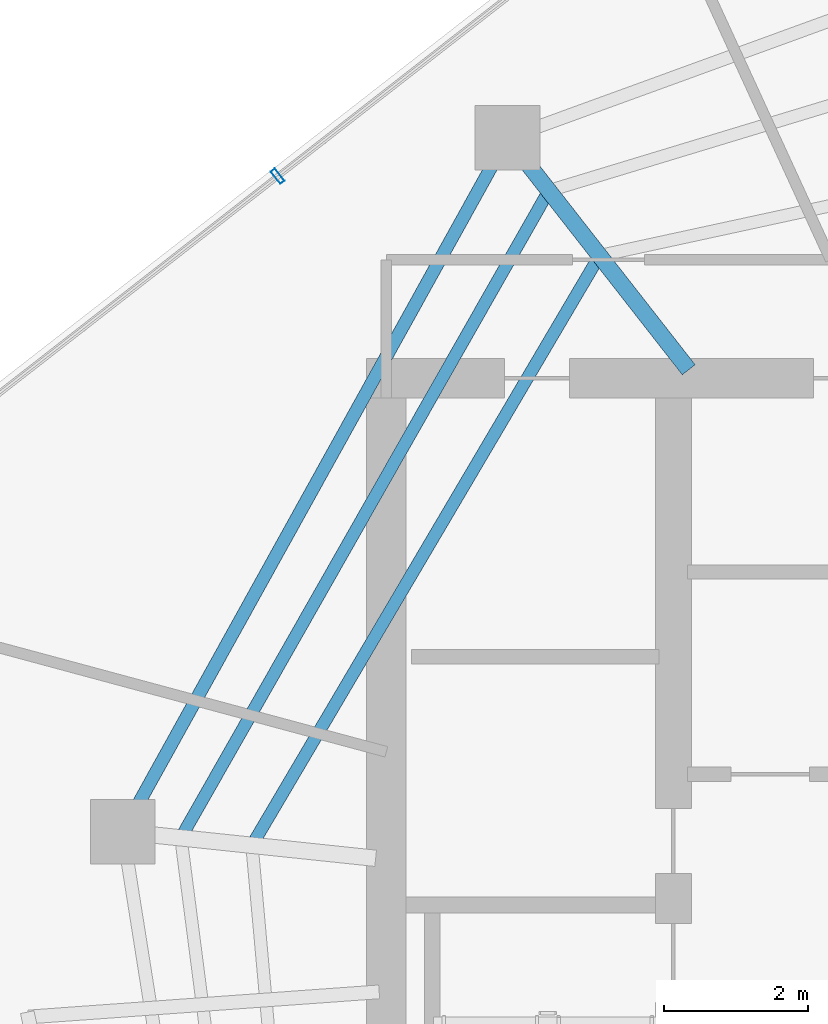
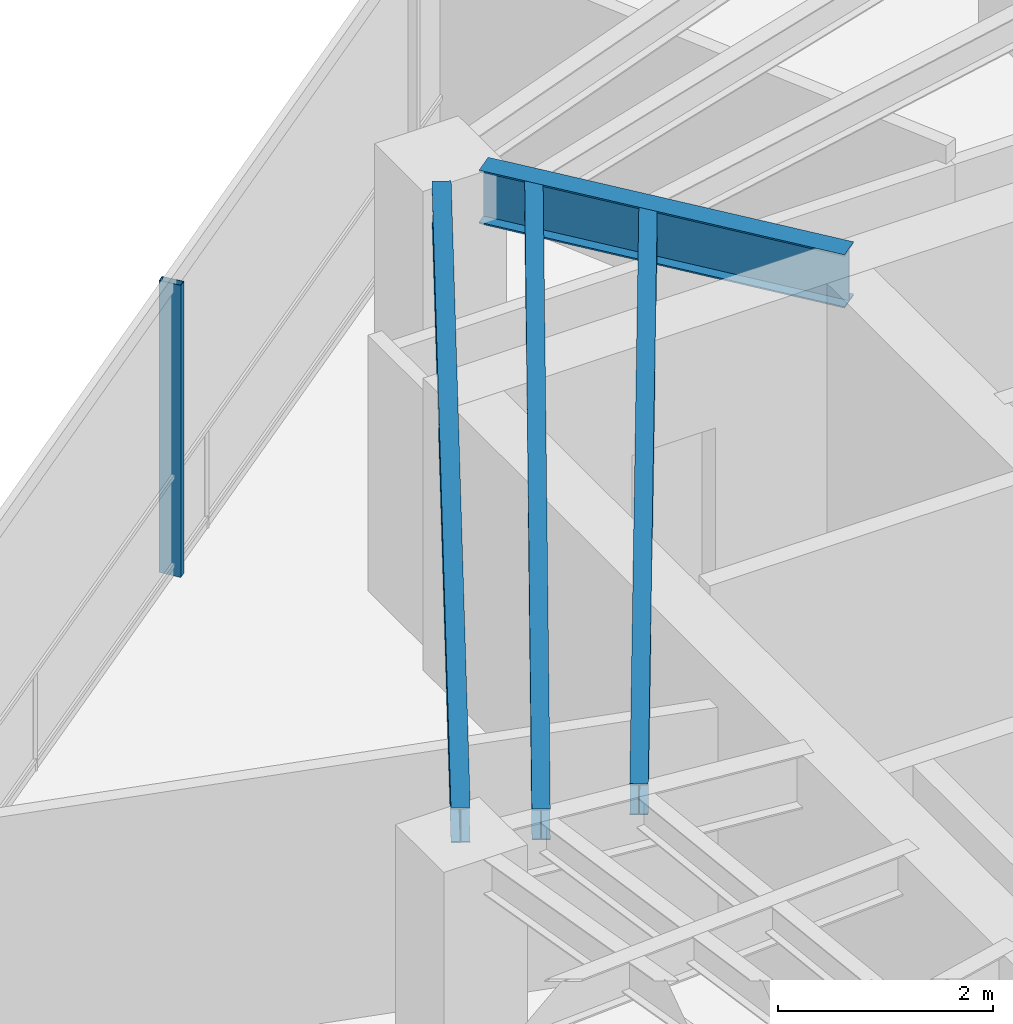
# One storey, part 7 of 19: 4 beams, 1 member, 1 element without a shape of its own.
"""IFC4 building model written with IfcOpenShell, lengths in metres."""

from ifc_helpers import new_model, si_unit, direction, frame, origin, origin_2d, place, context, subcontext, project, spatial, hollow_rectangle, i_section, extrude, material, layer, layer_set, material_profile, profile_set, type_object, element, aggregate, save


model = new_model("IFC4")

# Units and contexts
model_context = context("Model", 3, precision=1e-05, world=origin(), true_north=direction((0.0, 1.0)))
body_context = subcontext(model_context, "Body", "Model", "MODEL_VIEW")
ifc_project = project(units=[si_unit("LENGTHUNIT", "METRE"), si_unit("AREAUNIT", "SQUARE_METRE"), si_unit("VOLUMEUNIT", "CUBIC_METRE"), si_unit("PLANEANGLEUNIT", "RADIAN"), si_unit("MASSUNIT", "GRAM", prefix="KILO")], contexts=[model_context])

# Site, building, storey
site_placement = place(None, origin())
site = spatial("IfcSite", under=ifc_project, at=site_placement, CompositionType="ELEMENT")
building_placement = place(site_placement, origin())
building = spatial("IfcBuilding", under=site, at=building_placement, Name="Qarnah Convention Tower", CompositionType="ELEMENT")
storey_placement = place(building_placement, frame((0.0, 0.0, 209.39990234375)))
storey = spatial("IfcBuildingStorey", under=building, at=storey_placement, Name="L56", CompositionType="ELEMENT", Elevation=209.39990234375)

# Beams
ifc_material_1 = material(Name="Structural steel S355JR", Category="steel")
ifc_material_profile_1 = material_profile(ifc_material_1, i_section(OverallWidth=0.172119140625, OverallDepth=0.35595703125, WebThickness=0.007080078125, FlangeThickness=0.011962890625, at=origin_2d()), Name="W360X51")
ifc_profile_set_1 = profile_set([ifc_material_profile_1], Name="Structural steel S355JR")
beam_type_1 = type_object("IfcBeamType", Name="BM-JST-W360", PredefinedType="JOIST", material=ifc_profile_set_1)
beam_1_placement = place(storey_placement, frame((29.02001953125, 36.735107421875, 3.14208984375), z_axis=(-0.494322447591, -0.869278619206, 0.0), x_axis=(0.869278619206, -0.494322447591, 0.0)))
element("IfcBeam", 1, at=beam_1_placement, inside=storey, type_object=beam_type_1, Name="L56 joist BM-L56-SJST-04", PredefinedType="JOIST", context=body_context, shape_type="SweptSolid", body=[
    extrude(i_section(OverallWidth=0.172119140625, OverallDepth=0.35595703125, WebThickness=0.007080078125, FlangeThickness=0.011962890625, at=origin_2d()), origin(), (0.0, 0.0, 1.0), 10.19580078125),
])
beam_2_placement = place(storey_placement, frame((29.72509765625, 35.830078125, 3.14208984375), z_axis=(-0.507800878702, -0.861474472976, 0.0), x_axis=(0.861474472976, -0.507800878702, 0.0)))
element("IfcBeam", 2, at=beam_2_placement, inside=storey, type_object=beam_type_1, Name="L56 joist BM-L56-IJST-04", PredefinedType="JOIST", context=body_context, shape_type="SweptSolid", body=[
    extrude(i_section(OverallWidth=0.172119140625, OverallDepth=0.35595703125, WebThickness=0.007080078125, FlangeThickness=0.011962890625, at=origin_2d()), origin(), (0.0, 0.0, 1.0), 9.3583984375),
])
ifc_material_profile_2 = material_profile(ifc_material_1, i_section(OverallWidth=0.22802734375, OverallDepth=0.60791015625, WebThickness=0.010986328125, FlangeThickness=0.01708984375, at=origin_2d()), Name="W610X113")
ifc_profile_set_2 = profile_set([ifc_material_profile_2], Name="Structural steel S355JR")
beam_type_2 = type_object("IfcBeamType", Name="BM-RAD-W610B", PredefinedType="BEAM", material=ifc_profile_set_2)
beam_3_placement = place(storey_placement, frame((31.013916015625, 34.318115234375, 3.01611328125), z_axis=(-0.615807906571, 0.787896327066, 0.0), x_axis=(-0.787896327066, -0.615807906571, 0.0)))
element("IfcBeam", 3, at=beam_3_placement, inside=storey, type_object=beam_type_2, Name="L56 beam BM-L56-RAD-04", PredefinedType="BEAM", context=body_context, shape_type="SweptSolid", body=[
    extrude(i_section(OverallWidth=0.22802734375, OverallDepth=0.60791015625, WebThickness=0.010986328125, FlangeThickness=0.01708984375, at=origin_2d()), origin(), (0.0, 0.0, 1.0), 3.671630859375),
])
ifc_material_profile_3 = material_profile(ifc_material_1, i_section(OverallWidth=0.179931640625, OverallDepth=0.39990234375, WebThickness=0.009033203125, FlangeThickness=0.013916015625, at=origin_2d()), Name="IPE400")
ifc_profile_set_3 = profile_set([ifc_material_profile_3], Name="Structural steel S355JR")
beam_type_3 = type_object("IfcBeamType", Name="BM-SPN-IPE400", PredefinedType="SPANDREL", material=ifc_profile_set_3)
beam_4_placement = place(storey_placement, frame((28.27490234375, 37.1650390625, 3.1201171875), z_axis=(-0.48479945923, -0.874625339406, 0.0), x_axis=(0.874625339406, -0.48479945923, 0.0)))
element("IfcBeam", 4, at=beam_4_placement, inside=storey, type_object=beam_type_3, Name="L56 spandrel BM-L56-SPN-04", PredefinedType="SPANDREL", context=body_context, shape_type="SweptSolid", body=[
    extrude(i_section(OverallWidth=0.179931640625, OverallDepth=0.39990234375, WebThickness=0.009033203125, FlangeThickness=0.013916015625, at=origin_2d()), origin(), (0.0, 0.0, 1.0), 10.177001953125),
])

# Curtain wall, member
ifc_material_2 = material(Name="Tempered Low-E dark glass", Category="glass")
ifc_layer = layer(ifc_material_2, 0.174072265625)
ifc_layer_set = layer_set([ifc_layer], Name="Tempered Low-E dark glass")
curtain_wall_type = type_object("IfcCurtainWallType", Name="CWS-04", PredefinedType="NOTDEFINED", material=ifc_layer_set)
curtain_wall_placement = place(storey_placement, origin())
curtain_wall = element("IfcCurtainWall", 5, at=curtain_wall_placement, inside=storey, type_object=curtain_wall_type, Name="L56 unitised curtain wall CW-L56-F3", PredefinedType="NOTDEFINED")
ifc_material_3 = material(Name="Black anodised aluminium", Category="aluminium")
ifc_material_profile_4 = material_profile(ifc_material_3, hollow_rectangle(XDim=0.074951171875, YDim=0.219970703125, WallThickness=0.0048828125, at=origin_2d()), Name="MUL-75X220")
ifc_profile_set_4 = profile_set([ifc_material_profile_4], Name="Black anodised aluminium")
member_type = type_object("IfcMemberType", Name="MUL-T4", PredefinedType="MULLION", material=ifc_profile_set_4)
member_placement = place(storey_placement, frame((25.28515625, 37.01708984375, 0.0), z_axis=(0.0, 0.0, 1.0), x_axis=(0.788875563731, 0.614552963501, 0.0)))
member = element("IfcMember", 6, at=member_placement, type_object=member_type, Name="CW-L56-F3 mullion 3", PredefinedType="MULLION", context=body_context, shape_type="SweptSolid", body=[
    extrude(hollow_rectangle(XDim=0.074951171875, YDim=0.219970703125, WallThickness=0.0048828125, at=origin_2d()), origin(), (0.0, 0.0, 1.0), 3.320068359375),
])
aggregate(curtain_wall, [member])

save(model, "model.ifc")
